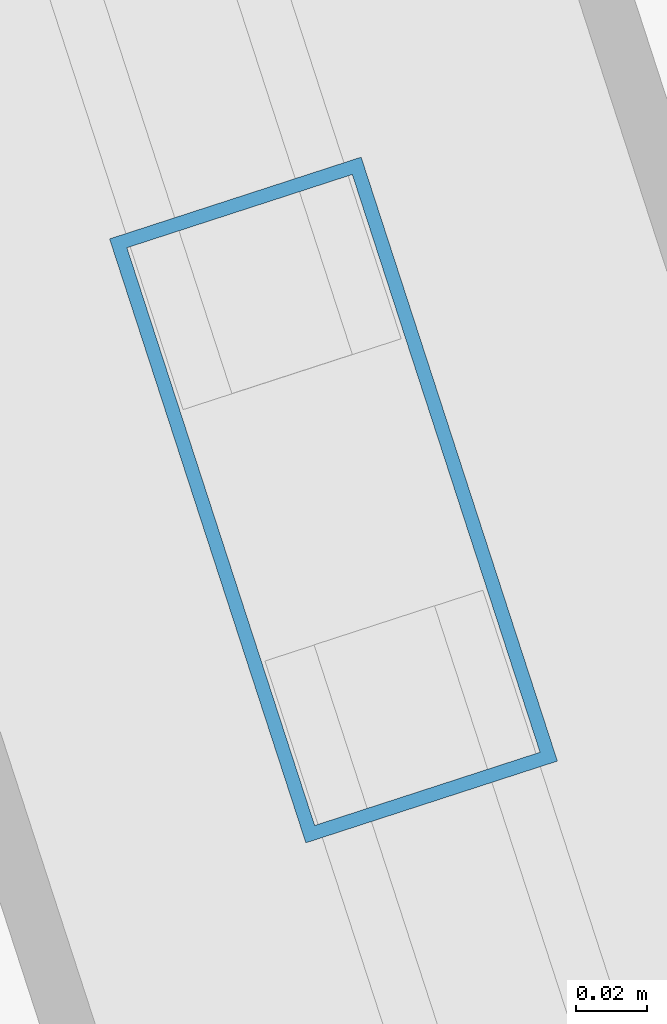
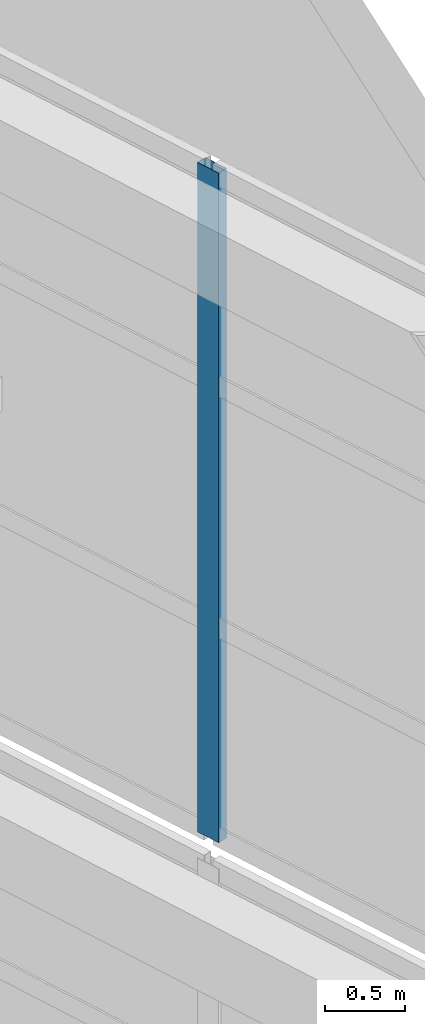
# One storey, part 40 of 56: 1 member, 1 element without a shape of its own.
"""IFC4 building model written with IfcOpenShell, lengths in metres."""

from ifc_helpers import new_model, si_unit, direction, frame, origin, origin_2d, place, context, subcontext, project, spatial, hollow_rectangle, extrude, material, layer, layer_set, material_profile, profile_set, type_object, element, aggregate, save


model = new_model("IFC4")

# Units and contexts
model_context = context("Model", 3, precision=1e-05, world=origin(), true_north=direction((0.0, 1.0)))
body_context = subcontext(model_context, "Body", "Model", "MODEL_VIEW")
ifc_project = project(units=[si_unit("LENGTHUNIT", "METRE"), si_unit("AREAUNIT", "SQUARE_METRE"), si_unit("VOLUMEUNIT", "CUBIC_METRE"), si_unit("PLANEANGLEUNIT", "RADIAN"), si_unit("MASSUNIT", "GRAM", prefix="KILO")], contexts=[model_context])

# Site, building, storey
site_placement = place(None, origin())
site = spatial("IfcSite", under=ifc_project, at=site_placement, CompositionType="ELEMENT")
building_placement = place(site_placement, origin())
building = spatial("IfcBuilding", under=site, at=building_placement, Name="Qiaolan Cultural Towers", CompositionType="ELEMENT")
storey_placement = place(building_placement, frame((0.0, 0.0, 250.39990234375)))
storey = spatial("IfcBuildingStorey", under=building, at=storey_placement, Name="L68", CompositionType="ELEMENT", Elevation=250.39990234375)

# Curtain wall, member
ifc_material_1 = material(Name="Unitized Anodized Aluminium Curtain Wall System", Category="aluminium")
ifc_layer = layer(ifc_material_1, 0.199951171875)
ifc_layer_set = layer_set([ifc_layer], Name="Unitized Anodized Aluminium Curtain Wall System")
curtain_wall_type = type_object("IfcCurtainWallType", Name="CWS-06", PredefinedType="NOTDEFINED", material=ifc_layer_set)
curtain_wall_placement = place(storey_placement, origin())
curtain_wall = element("IfcCurtainWall", 1, at=curtain_wall_placement, inside=storey, type_object=curtain_wall_type, Name="T2 Crown Tier 5 Fritted Screen Curtain Wall 3", PredefinedType="NOTDEFINED")
ifc_material_2 = material(Name="Extruded Aluminium 6063-T6", Category="aluminium")
ifc_material_profile = material_profile(ifc_material_2, hollow_rectangle(XDim=0.074951171875, YDim=0.179931640625, WallThickness=0.00390625, at=origin_2d()), Name="CWM-180x75x4")
ifc_profile_set = profile_set([ifc_material_profile], Name="Extruded Aluminium 6063-T6")
member_type = type_object("IfcMemberType", Name="CWS-06-MUL", PredefinedType="MULLION", material=ifc_profile_set)
member_placement = place(storey_placement, frame((101.985595703125, 41.931884765625, 21.300048828125), z_axis=(0.0, 0.0, 1.0), x_axis=(-0.951056535512, -0.309016935232, 0.0)))
member = element("IfcMember", 2, at=member_placement, type_object=member_type, Name="CW-6 mullion 6", PredefinedType="MULLION", context=body_context, shape_type="SweptSolid", body=[
    extrude(hollow_rectangle(XDim=0.074951171875, YDim=0.179931640625, WallThickness=0.00390625, at=origin_2d()), origin(), (0.0, 0.0, 1.0), 5.10009765625),
])
aggregate(curtain_wall, [member])

save(model, "model.ifc")
